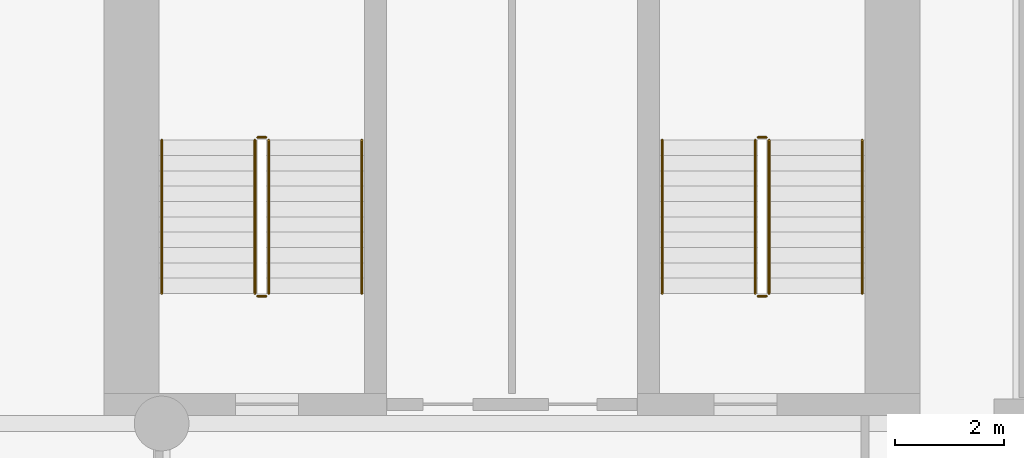
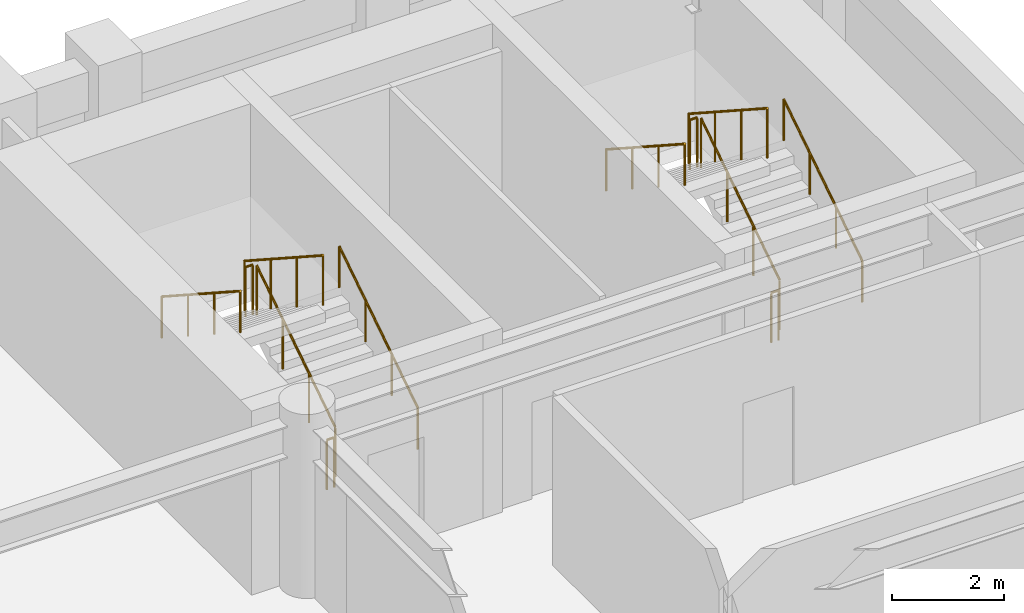
# One storey, part 8 of 8: 12 railings.
"""IFC4 building model written with IfcOpenShell, lengths in metres."""

import ifcopenshell
import ifcopenshell.guid

model = None  # the IFC model being written
_history = None  # IfcOwnerHistory: only IFC2X3 demands one
_inside = {}  # id of a spatial element -> (the spatial element, [elements in it])
_under = {}  # id of a project, library or spatial element -> (it, [spatial elements below it])
_declared = {}  # id of a project -> (the project, [libraries it declares])
_typed = {}  # id of a type object -> (the type object, [elements of that type])
_made_of = {}  # id of a material, layer set ... -> (it, [elements and type objects made of it])


def new_model(schema):
    """Start an empty IFC model of exactly this schema.

    Asked for "IFC4X3", IfcOpenShell would pick the latest addendum, in which some entities
    have other attributes; the version numbers below select the first issue.
    IFC2X3 requires an IfcOwnerHistory on every rooted entity: one is made here for all.
    """
    global model, _history
    if schema == "IFC4X3":
        model = ifcopenshell.file(schema_version=(4, 3, 0, 0))
    else:
        model = ifcopenshell.file(schema=schema)
    _inside.clear()
    _under.clear()
    _declared.clear()
    _typed.clear()
    _made_of.clear()
    _history = None
    if model.schema == "IFC2X3":
        org = make("IfcOrganization", Name="unknown")
        user = make(
            "IfcPersonAndOrganization",
            ThePerson=make("IfcPerson", FamilyName="unknown"),
            TheOrganization=org,
        )
        app = make(
            "IfcApplication",
            ApplicationDeveloper=org,
            Version="unknown",
            ApplicationFullName="unknown",
            ApplicationIdentifier="unknown",
        )
        _history = make(
            "IfcOwnerHistory",
            OwningUser=user,
            OwningApplication=app,
            ChangeAction="ADDED",
            CreationDate=0,
        )
    return model


def make(cls, **values):
    """One entity of the class cls with the attributes given. An attribute that is None is left unset."""
    return model.create_entity(
        cls, **{name: value for name, value in values.items() if value is not None}
    )


def rooted(cls, **values):
    """An entity with a GlobalId (a new one), such as an element, a storey or a relation."""
    return make(cls, GlobalId=ifcopenshell.guid.new(), OwnerHistory=_history, **values)


def si_unit(unit_type, name, prefix=None):
    """IfcSIUnit, for example si_unit("LENGTHUNIT", "METRE", prefix="MILLI")."""
    return make("IfcSIUnit", UnitType=unit_type, Prefix=prefix, Name=name)


def assignment(units):
    """IfcUnitAssignment: the units of a project."""
    return None if units is None else make("IfcUnitAssignment", Units=units)


def point(xyz):
    """IfcCartesianPoint."""
    return None if xyz is None else make("IfcCartesianPoint", Coordinates=xyz)


def direction(xyz):
    """IfcDirection."""
    return None if xyz is None else make("IfcDirection", DirectionRatios=xyz)


def frame(location, z_axis=None, x_axis=None):
    """IfcAxis2Placement3D, a coordinate frame: its origin and axes. An axis left out is left unset."""
    return make(
        "IfcAxis2Placement3D",
        Location=point(location),
        Axis=direction(z_axis),
        RefDirection=direction(x_axis),
    )


def frame_2d(location, x_axis=None):
    """IfcAxis2Placement2D, a coordinate frame in the plane: its origin and x axis."""
    return make(
        "IfcAxis2Placement2D", Location=point(location), RefDirection=direction(x_axis)
    )


def origin():
    """The frame at (0, 0, 0) with its axes left unset."""
    return frame((0.0, 0.0, 0.0))


def origin_2d():
    """The frame at (0, 0) in the plane with its x axis left unset."""
    return frame_2d((0.0, 0.0))


def place(relative_to, where):
    """IfcLocalPlacement: puts the frame where relative to a parent placement (None: the world)."""
    return make(
        "IfcLocalPlacement", PlacementRelTo=relative_to, RelativePlacement=where
    )


def context(
    kind, dimensions, precision=None, world=None, true_north=None, identifier=None
):
    """IfcGeometricRepresentationContext, for example the 3D "Model" context."""
    return make(
        "IfcGeometricRepresentationContext",
        ContextIdentifier=identifier,
        ContextType=kind,
        CoordinateSpaceDimension=dimensions,
        Precision=precision,
        WorldCoordinateSystem=world,
        TrueNorth=true_north,
    )


def subcontext(parent, identifier, kind, view, scale=None):
    """IfcGeometricRepresentationSubContext, for example "Body" below "Model"."""
    return make(
        "IfcGeometricRepresentationSubContext",
        ContextIdentifier=identifier,
        ContextType=kind,
        ParentContext=parent,
        TargetScale=scale,
        TargetView=view,
    )


def project(units=None, contexts=None):
    """IfcProject with its units and contexts."""
    return rooted(
        "IfcProject",
        Name="project",
        RepresentationContexts=contexts,
        UnitsInContext=assignment(units),
    )


def spatial(cls, under=None, at=None, **own):
    """A site, building, storey or space (cls), placed at a placement, below another one or the project."""
    s = rooted(cls, ObjectPlacement=at, **own)
    if under is not None:
        _under.setdefault(under.id(), (under, []))[1].append(s)
    return s


def profile(cls, at=None, kind="AREA", **sizes):
    """A parametric profile (cls). Its sizes go by their IFC names, for example OverallWidth=200.0."""
    return make(cls, ProfileType=kind, Position=at, **sizes)


def circle(**sizes):
    """IfcCircleProfileDef."""
    return profile("IfcCircleProfileDef", **sizes)


def extrude(swept, where, along, depth):
    """IfcExtrudedAreaSolid: the profile swept, set in the frame where, extruded along a direction by depth."""
    return make(
        "IfcExtrudedAreaSolid",
        SweptArea=swept,
        Position=where,
        ExtrudedDirection=direction(along),
        Depth=depth,
    )


def shape(context_of_items, identifier, shape_type, items):
    """IfcShapeRepresentation: the items that make up one representation, for example the "Body"."""
    return make(
        "IfcShapeRepresentation",
        ContextOfItems=context_of_items,
        RepresentationIdentifier=identifier,
        RepresentationType=shape_type,
        Items=items,
    )


def material(Name=None, Category=None):
    """IfcMaterial."""
    return make("IfcMaterial", Name=Name, Category=Category)


def made_of(thing, what):
    """Note that an element or type object is made of a material, layer set ...; save() writes the relation."""
    if what is not None:
        _made_of.setdefault(what.id(), (what, []))[1].append(thing)
    return thing


def type_object(cls, material=None, **own):
    """A type object (cls), such as IfcWallType, which elements share."""
    return made_of(rooted(cls, **own), material)


def element(
    cls,
    number,
    at=None,
    inside=None,
    cuts=None,
    type_object=None,
    material=None,
    context=None,
    identifier="Body",
    shape_type=None,
    held_by="IfcProductDefinitionShape",
    body=None,
    shapes=None,
    **own,
):
    """One element of the class cls, such as IfcWall. Its Tag is "e" and its number.

    at: its placement. inside: the storey or other place that contains it. cuts: it is an
    opening in that element (IfcRelVoidsElement). A single representation is given by context,
    identifier, shape_type and body (its items); several are given by shapes. held_by: the class
    of the entity that holds the representations. save() writes the other relations.
    """
    e = rooted(cls, Tag="e%d" % number, ObjectPlacement=at, **own)
    if body is not None:
        shapes = [shape(context, identifier, shape_type, body)]
    if shapes is not None:
        e.Representation = make(held_by, Representations=shapes)
    if inside is not None:
        _inside.setdefault(inside.id(), (inside, []))[1].append(e)
    if cuts is not None:
        rooted(
            "IfcRelVoidsElement", RelatingBuildingElement=cuts, RelatedOpeningElement=e
        )
    if type_object is not None:
        _typed.setdefault(type_object.id(), (type_object, []))[1].append(e)
    return made_of(e, material)


def aggregate(whole, parts):
    """IfcRelAggregates: a whole, such as a stair, and the parts it consists of."""
    return rooted("IfcRelAggregates", RelatingObject=whole, RelatedObjects=parts)


def save(model, path):
    """Write the relations noted so far, then the file.

    IfcRelAggregates (storeys below a building ...), IfcRelContainedInSpatialStructure (elements
    in a storey), IfcRelDefinesByType, IfcRelAssociatesMaterial and IfcRelDeclares: one each for
    every whole, place, type object, material and project.
    """
    for whole, parts in _under.values():
        aggregate(whole, parts)
    for where, things in _inside.values():
        rooted(
            "IfcRelContainedInSpatialStructure",
            RelatedElements=things,
            RelatingStructure=where,
        )
    for kind, things in _typed.values():
        rooted("IfcRelDefinesByType", RelatedObjects=things, RelatingType=kind)
    for what, things in _made_of.values():
        rooted("IfcRelAssociatesMaterial", RelatedObjects=things, RelatingMaterial=what)
    for by, libraries in _declared.values():
        rooted("IfcRelDeclares", RelatingContext=by, RelatedDefinitions=libraries)
    model.write(path)


model = new_model("IFC4")

# Units and contexts
model_context = context("Model", 3, precision=1e-05, world=origin(), true_north=direction((0.0, 1.0)))
body_context = subcontext(model_context, "Body", "Model", "MODEL_VIEW")
ifc_project = project(units=[si_unit("LENGTHUNIT", "METRE"), si_unit("AREAUNIT", "SQUARE_METRE"), si_unit("VOLUMEUNIT", "CUBIC_METRE"), si_unit("PLANEANGLEUNIT", "RADIAN"), si_unit("MASSUNIT", "GRAM", prefix="KILO")], contexts=[model_context])

# Site, building, storey
site_placement = place(None, origin())
site = spatial("IfcSite", under=ifc_project, at=site_placement, CompositionType="ELEMENT")
building_placement = place(site_placement, origin())
building = spatial("IfcBuilding", under=site, at=building_placement, Name="Sulina Concourse Tower", CompositionType="ELEMENT")
storey_placement = place(building_placement, frame((0.0, 0.0, 78.60009765625)))
storey = spatial("IfcBuildingStorey", under=building, at=storey_placement, Name="L19", CompositionType="ELEMENT", Elevation=78.60009765625)

# Railings
ifc_material_1 = material(Name="Galvanised steel railing", Category="steel")
railing_type_1 = type_object("IfcRailingType", Name="Core Stair Steel Guardrail 1150mm", PredefinedType="GUARDRAIL", material=ifc_material_1)
railing_1_placement = place(storey_placement, frame((43.554931640625, 36.375, 0.181640625)))
element("IfcRailing", 1, at=railing_1_placement, inside=storey, type_object=railing_type_1, Name="L19 ST-3 stair guard 1", PredefinedType="GUARDRAIL", context=body_context, shape_type="SweptSolid", body=[
    extrude(circle(Radius=0.02392578125, at=origin_2d()), frame((0.0, 0.0, 1.076171875), z_axis=(0.0, 0.838672427954, 0.544636170843), x_axis=(-1.0, 0.0, 0.0)), (0.0, 0.0, 1.0), 3.338623046875),
    extrude(circle(Radius=0.02099609375, at=origin_2d()), origin(), (0.0, 0.0, 1.0), 1.052001953125),
    extrude(circle(Radius=0.02099609375, at=origin_2d()), frame((0.0, 0.933349609375, 0.606201171875)), (0.0, 0.0, 1.0), 1.052001953125),
    extrude(circle(Radius=0.02099609375, at=origin_2d()), frame((0.0, 1.86669921875, 1.212158203125)), (0.0, 0.0, 1.0), 1.052001953125),
    extrude(circle(Radius=0.02099609375, at=origin_2d()), frame((0.0, 2.800048828125, 1.818359375)), (0.0, 0.0, 1.0), 1.052001953125),
])
railing_2_placement = place(storey_placement, frame((43.5048828125, 39.22509765625, 2.0)))
element("IfcRailing", 2, at=railing_2_placement, inside=storey, type_object=railing_type_1, Name="L19 ST-3 stair guard 2", PredefinedType="GUARDRAIL", context=body_context, shape_type="SweptSolid", body=[
    extrude(circle(Radius=0.02392578125, at=origin_2d()), frame((0.0, 0.0, 1.076171875), z_axis=(-1.0, 0.0, 0.0), x_axis=(0.0, -1.0, 0.0)), (0.0, 0.0, 1.0), 0.14990234375),
    extrude(circle(Radius=0.02099609375, at=origin_2d()), origin(), (0.0, 0.0, 1.0), 1.052001953125),
    extrude(circle(Radius=0.02099609375, at=origin_2d()), frame((-0.14990234375, 0.0, 0.0)), (0.0, 0.0, 1.0), 1.052001953125),
])
railing_3_placement = place(storey_placement, frame((43.304931640625, 39.175048828125, 2.181640625)))
element("IfcRailing", 3, at=railing_3_placement, inside=storey, type_object=railing_type_1, Name="L19 ST-3 stair guard 3", PredefinedType="GUARDRAIL", context=body_context, shape_type="SweptSolid", body=[
    extrude(circle(Radius=0.02392578125, at=origin_2d()), frame((0.0, 0.0, 1.076171875), z_axis=(0.0, -0.838672427954, 0.544636170843), x_axis=(1.0, 0.0, 0.0)), (0.0, 0.0, 1.0), 3.338623046875),
    extrude(circle(Radius=0.02099609375, at=origin_2d()), origin(), (0.0, 0.0, 1.0), 1.052001953125),
    extrude(circle(Radius=0.02099609375, at=origin_2d()), frame((0.0, -0.933349609375, 0.606201171875)), (0.0, 0.0, 1.0), 1.052001953125),
    extrude(circle(Radius=0.02099609375, at=origin_2d()), frame((0.0, -1.86669921875, 1.212158203125)), (0.0, 0.0, 1.0), 1.052001953125),
    extrude(circle(Radius=0.02099609375, at=origin_2d()), frame((0.0, -2.800048828125, 1.818359375)), (0.0, 0.0, 1.0), 1.052001953125),
])
railing_4_placement = place(storey_placement, frame((43.5048828125, 36.324951171875, 0.0)))
element("IfcRailing", 4, at=railing_4_placement, inside=storey, type_object=railing_type_1, Name="L19 ST-3 stair guard 4", PredefinedType="GUARDRAIL", context=body_context, shape_type="SweptSolid", body=[
    extrude(circle(Radius=0.02392578125, at=origin_2d()), frame((0.0, 0.0, 1.076171875), z_axis=(-1.0, 0.0, 0.0), x_axis=(0.0, -1.0, 0.0)), (0.0, 0.0, 1.0), 0.14990234375),
    extrude(circle(Radius=0.02099609375, at=origin_2d()), origin(), (0.0, 0.0, 1.0), 1.052001953125),
    extrude(circle(Radius=0.02099609375, at=origin_2d()), frame((-0.14990234375, 0.0, 0.0)), (0.0, 0.0, 1.0), 1.052001953125),
])
railing_5_placement = place(storey_placement, frame((52.695068359375, 36.375, 0.181640625)))
element("IfcRailing", 5, at=railing_5_placement, inside=storey, type_object=railing_type_1, Name="L19 ST-4 stair guard 1", PredefinedType="GUARDRAIL", context=body_context, shape_type="SweptSolid", body=[
    extrude(circle(Radius=0.02392578125, at=origin_2d()), frame((0.0, 0.0, 1.076171875), z_axis=(0.0, 0.838672427954, 0.544636170843), x_axis=(-1.0, 0.0, 0.0)), (0.0, 0.0, 1.0), 3.338623046875),
    extrude(circle(Radius=0.02099609375, at=origin_2d()), origin(), (0.0, 0.0, 1.0), 1.052001953125),
    extrude(circle(Radius=0.02099609375, at=origin_2d()), frame((0.0, 0.933349609375, 0.606201171875)), (0.0, 0.0, 1.0), 1.052001953125),
    extrude(circle(Radius=0.02099609375, at=origin_2d()), frame((0.0, 1.86669921875, 1.212158203125)), (0.0, 0.0, 1.0), 1.052001953125),
    extrude(circle(Radius=0.02099609375, at=origin_2d()), frame((0.0, 2.800048828125, 1.818359375)), (0.0, 0.0, 1.0), 1.052001953125),
])
railing_6_placement = place(storey_placement, frame((52.64501953125, 39.22509765625, 2.0)))
element("IfcRailing", 6, at=railing_6_placement, inside=storey, type_object=railing_type_1, Name="L19 ST-4 stair guard 2", PredefinedType="GUARDRAIL", context=body_context, shape_type="SweptSolid", body=[
    extrude(circle(Radius=0.02392578125, at=origin_2d()), frame((0.0, 0.0, 1.076171875), z_axis=(-1.0, 0.0, 0.0), x_axis=(0.0, -1.0, 0.0)), (0.0, 0.0, 1.0), 0.14990234375),
    extrude(circle(Radius=0.02099609375, at=origin_2d()), origin(), (0.0, 0.0, 1.0), 1.052001953125),
    extrude(circle(Radius=0.02099609375, at=origin_2d()), frame((-0.14990234375, 0.0, 0.0)), (0.0, 0.0, 1.0), 1.052001953125),
])
railing_7_placement = place(storey_placement, frame((52.445068359375, 39.175048828125, 2.181640625)))
element("IfcRailing", 7, at=railing_7_placement, inside=storey, type_object=railing_type_1, Name="L19 ST-4 stair guard 3", PredefinedType="GUARDRAIL", context=body_context, shape_type="SweptSolid", body=[
    extrude(circle(Radius=0.02392578125, at=origin_2d()), frame((0.0, 0.0, 1.076171875), z_axis=(0.0, -0.838672427954, 0.544636170843), x_axis=(1.0, 0.0, 0.0)), (0.0, 0.0, 1.0), 3.338623046875),
    extrude(circle(Radius=0.02099609375, at=origin_2d()), origin(), (0.0, 0.0, 1.0), 1.052001953125),
    extrude(circle(Radius=0.02099609375, at=origin_2d()), frame((0.0, -0.933349609375, 0.606201171875)), (0.0, 0.0, 1.0), 1.052001953125),
    extrude(circle(Radius=0.02099609375, at=origin_2d()), frame((0.0, -1.86669921875, 1.212158203125)), (0.0, 0.0, 1.0), 1.052001953125),
    extrude(circle(Radius=0.02099609375, at=origin_2d()), frame((0.0, -2.800048828125, 1.818359375)), (0.0, 0.0, 1.0), 1.052001953125),
])
railing_8_placement = place(storey_placement, frame((52.64501953125, 36.324951171875, 0.0)))
element("IfcRailing", 8, at=railing_8_placement, inside=storey, type_object=railing_type_1, Name="L19 ST-4 stair guard 4", PredefinedType="GUARDRAIL", context=body_context, shape_type="SweptSolid", body=[
    extrude(circle(Radius=0.02392578125, at=origin_2d()), frame((0.0, 0.0, 1.076171875), z_axis=(-1.0, 0.0, 0.0), x_axis=(0.0, -1.0, 0.0)), (0.0, 0.0, 1.0), 0.14990234375),
    extrude(circle(Radius=0.02099609375, at=origin_2d()), origin(), (0.0, 0.0, 1.0), 1.052001953125),
    extrude(circle(Radius=0.02099609375, at=origin_2d()), frame((-0.14990234375, 0.0, 0.0)), (0.0, 0.0, 1.0), 1.052001953125),
])
ifc_material_2 = material(Name="Galvanised steel railing", Category="steel")
railing_type_2 = type_object("IfcRailingType", Name="Stair Wall Steel Handrail 920mm", PredefinedType="HANDRAIL", material=ifc_material_2)
railing_9_placement = place(storey_placement, frame((45.2548828125, 36.375, 0.181640625)))
element("IfcRailing", 9, at=railing_9_placement, inside=storey, type_object=railing_type_2, Name="L19 ST-3 stair handrail 1", PredefinedType="HANDRAIL", context=body_context, shape_type="SweptSolid", body=[
    extrude(circle(Radius=0.02392578125, at=origin_2d()), frame((0.0, 0.0, 0.89599609375), z_axis=(0.0, 0.838672427954, 0.544636170843), x_axis=(-1.0, 0.0, 0.0)), (0.0, 0.0, 1.0), 3.338623046875),
    extrude(circle(Radius=0.02099609375, at=origin_2d()), origin(), (0.0, 0.0, 1.0), 0.871826171875),
    extrude(circle(Radius=0.02099609375, at=origin_2d()), frame((0.0, 0.933349609375, 0.606201171875)), (0.0, 0.0, 1.0), 0.871826171875),
    extrude(circle(Radius=0.02099609375, at=origin_2d()), frame((0.0, 1.86669921875, 1.212158203125)), (0.0, 0.0, 1.0), 0.871826171875),
    extrude(circle(Radius=0.02099609375, at=origin_2d()), frame((0.0, 2.800048828125, 1.818359375)), (0.0, 0.0, 1.0), 0.871826171875),
])
railing_10_placement = place(storey_placement, frame((41.60498046875, 39.175048828125, 2.181640625)))
element("IfcRailing", 10, at=railing_10_placement, inside=storey, type_object=railing_type_2, Name="L19 ST-3 stair handrail 2", PredefinedType="HANDRAIL", context=body_context, shape_type="SweptSolid", body=[
    extrude(circle(Radius=0.02392578125, at=origin_2d()), frame((0.0, 0.0, 0.89599609375), z_axis=(0.0, -0.838672427954, 0.544636170843), x_axis=(1.0, 0.0, 0.0)), (0.0, 0.0, 1.0), 3.338623046875),
    extrude(circle(Radius=0.02099609375, at=origin_2d()), origin(), (0.0, 0.0, 1.0), 0.871826171875),
    extrude(circle(Radius=0.02099609375, at=origin_2d()), frame((0.0, -0.933349609375, 0.606201171875)), (0.0, 0.0, 1.0), 0.871826171875),
    extrude(circle(Radius=0.02099609375, at=origin_2d()), frame((0.0, -1.86669921875, 1.212158203125)), (0.0, 0.0, 1.0), 0.871826171875),
    extrude(circle(Radius=0.02099609375, at=origin_2d()), frame((0.0, -2.800048828125, 1.818359375)), (0.0, 0.0, 1.0), 0.871826171875),
])
railing_11_placement = place(storey_placement, frame((54.39501953125, 36.375, 0.181640625)))
element("IfcRailing", 11, at=railing_11_placement, inside=storey, type_object=railing_type_2, Name="L19 ST-4 stair handrail 1", PredefinedType="HANDRAIL", context=body_context, shape_type="SweptSolid", body=[
    extrude(circle(Radius=0.02392578125, at=origin_2d()), frame((0.0, 0.0, 0.89599609375), z_axis=(0.0, 0.838672427954, 0.544636170843), x_axis=(-1.0, 0.0, 0.0)), (0.0, 0.0, 1.0), 3.338623046875),
    extrude(circle(Radius=0.02099609375, at=origin_2d()), origin(), (0.0, 0.0, 1.0), 0.871826171875),
    extrude(circle(Radius=0.02099609375, at=origin_2d()), frame((0.0, 0.933349609375, 0.606201171875)), (0.0, 0.0, 1.0), 0.871826171875),
    extrude(circle(Radius=0.02099609375, at=origin_2d()), frame((0.0, 1.86669921875, 1.212158203125)), (0.0, 0.0, 1.0), 0.871826171875),
    extrude(circle(Radius=0.02099609375, at=origin_2d()), frame((0.0, 2.800048828125, 1.818359375)), (0.0, 0.0, 1.0), 0.871826171875),
])
railing_12_placement = place(storey_placement, frame((50.7451171875, 39.175048828125, 2.181640625)))
element("IfcRailing", 12, at=railing_12_placement, inside=storey, type_object=railing_type_2, Name="L19 ST-4 stair handrail 2", PredefinedType="HANDRAIL", context=body_context, shape_type="SweptSolid", body=[
    extrude(circle(Radius=0.02392578125, at=origin_2d()), frame((0.0, 0.0, 0.89599609375), z_axis=(0.0, -0.838672427954, 0.544636170843), x_axis=(1.0, 0.0, 0.0)), (0.0, 0.0, 1.0), 3.338623046875),
    extrude(circle(Radius=0.02099609375, at=origin_2d()), origin(), (0.0, 0.0, 1.0), 0.871826171875),
    extrude(circle(Radius=0.02099609375, at=origin_2d()), frame((0.0, -0.933349609375, 0.606201171875)), (0.0, 0.0, 1.0), 0.871826171875),
    extrude(circle(Radius=0.02099609375, at=origin_2d()), frame((0.0, -1.86669921875, 1.212158203125)), (0.0, 0.0, 1.0), 0.871826171875),
    extrude(circle(Radius=0.02099609375, at=origin_2d()), frame((0.0, -2.800048828125, 1.818359375)), (0.0, 0.0, 1.0), 0.871826171875),
])

save(model, "model.ifc")
